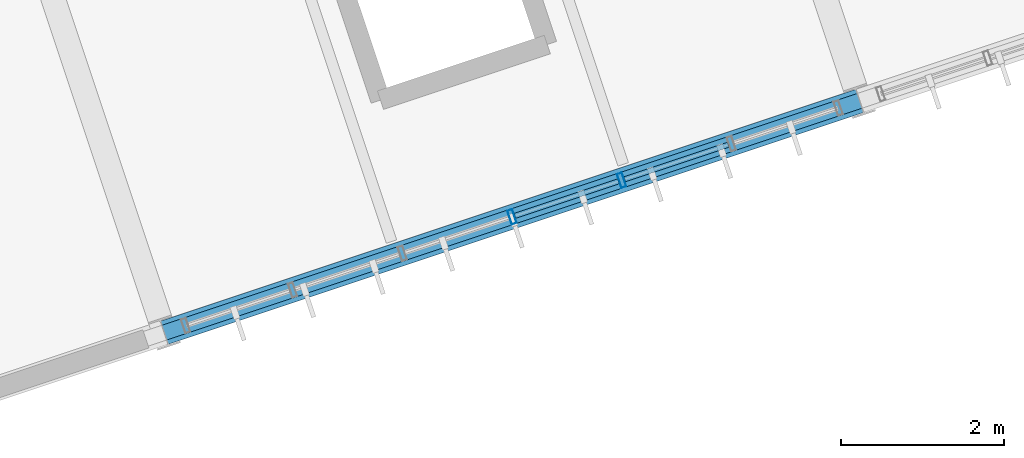
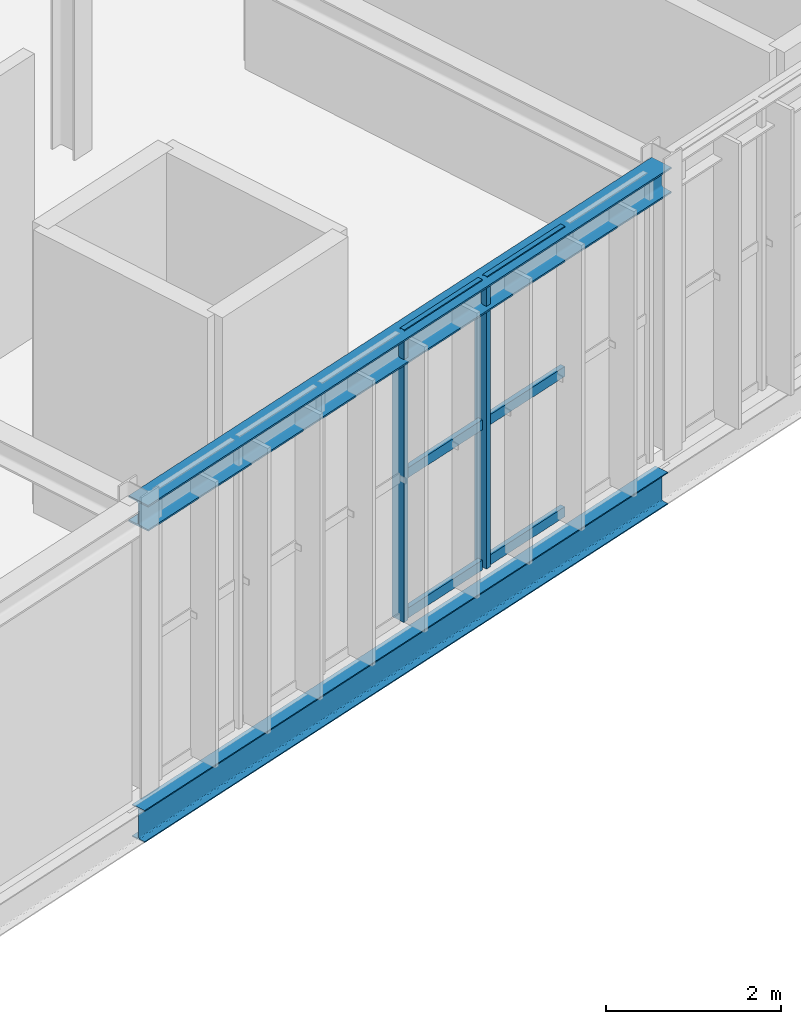
# One storey, part 10 of 61: 8 members, 2 beams, 1 element without a shape of its own.
"""IFC4 building model written with IfcOpenShell, lengths in metres."""

from ifc_helpers import new_model, si_unit, derived_unit, direction, frame, origin, origin_2d, place, context, subcontext, project, spatial, hollow_rectangle, i_section, extrude, material, material_profile, profile_set, type_object, element, aggregate, save


model = new_model("IFC4")

# Units and contexts
model_context = context("Model", 3, precision=1e-05, world=origin(), true_north=direction((0.0, 1.0)))
body_context = subcontext(model_context, "Body", "Model", "MODEL_VIEW")
ifc_project = project(units=[si_unit("LENGTHUNIT", "METRE"), si_unit("AREAUNIT", "SQUARE_METRE"), si_unit("VOLUMEUNIT", "CUBIC_METRE"), si_unit("PLANEANGLEUNIT", "RADIAN"), si_unit("MASSUNIT", "GRAM", prefix="KILO"), si_unit("THERMODYNAMICTEMPERATUREUNIT", "KELVIN"), si_unit("TIMEUNIT", "SECOND"), derived_unit("THERMALTRANSMITTANCEUNIT", [(si_unit("MASSUNIT", "GRAM", prefix="KILO"), 1), (si_unit("THERMODYNAMICTEMPERATUREUNIT", "KELVIN"), -1), (si_unit("TIMEUNIT", "SECOND"), -3)])], contexts=[model_context])

# Site, building, storey
site_placement = place(None, origin())
site = spatial("IfcSite", under=ifc_project, at=site_placement, CompositionType="ELEMENT")
building_placement = place(site_placement, origin())
building = spatial("IfcBuilding", under=site, at=building_placement, Name="Cambertide Market Hall", CompositionType="ELEMENT")
storey_placement = place(building_placement, frame((0.0, 0.0, 9.89990234375)))
storey = spatial("IfcBuildingStorey", under=building, at=storey_placement, Name="L03", CompositionType="ELEMENT", Elevation=9.89990234375)

# Curtain wall, members
ifc_material_1 = material(Name="Marine Anodized Aluminium 6063-T6 AA25", Category="aluminium")
curtain_wall_type = type_object("IfcCurtainWallType", Name="Tasting Hall Panorama Curtain Wall", PredefinedType="USERDEFINED", material=ifc_material_1)
curtain_wall_placement = place(storey_placement, origin())
curtain_wall = element("IfcCurtainWall", 1, at=curtain_wall_placement, inside=storey, type_object=curtain_wall_type, Name="Level 3 Curtain Wall CW-V3S-L03-3", ObjectType="UNITIZED CURTAIN WALL", PredefinedType="USERDEFINED")
ifc_material_2 = material(Name="Champagne Marine Anodized Aluminium 6063-T6 AA25", Category="aluminium")
ifc_material_profile_1 = material_profile(ifc_material_2, hollow_rectangle(XDim=0.06494140625, YDim=0.179931640625, WallThickness=0.00390625, at=origin_2d()), Name="ALU MULLION 65x180")
ifc_profile_set_1 = profile_set([ifc_material_profile_1], Name="Champagne Marine Anodized Aluminium 6063-T6 AA25")
member_type_1 = type_object("IfcMemberType", Name="Curtain Wall Mullion ALU MULLION 65x180", PredefinedType="MULLION", material=ifc_profile_set_1)
member_1_placement = place(storey_placement, frame((128.6923828125, 19.564208984375, 0.0), z_axis=(0.0, 0.0, 1.0), x_axis=(-0.948683286311, -0.316227801236, 0.0)))
member_1 = element("IfcMember", 2, at=member_1_placement, type_object=member_type_1, Name="CW-V3S-L03-3 Mullion 3", PredefinedType="MULLION", context=body_context, shape_type="SweptSolid", body=[
    extrude(hollow_rectangle(XDim=0.06494140625, YDim=0.179931640625, WallThickness=0.00390625, at=origin_2d()), origin(), (0.0, 0.0, 1.0), 3.97998046875),
])
member_2_placement = place(storey_placement, frame((127.345458984375, 19.115234375, 0.0), z_axis=(0.0, 0.0, 1.0), x_axis=(-0.948683286311, -0.316227801236, 0.0)))
member_2 = element("IfcMember", 3, at=member_2_placement, type_object=member_type_1, Name="CW-V3S-L03-3 Mullion 4", PredefinedType="MULLION", context=body_context, shape_type="SweptSolid", body=[
    extrude(hollow_rectangle(XDim=0.06494140625, YDim=0.179931640625, WallThickness=0.00390625, at=origin_2d()), origin(), (0.0, 0.0, 1.0), 3.97998046875),
])
ifc_material_3 = material(Name="Champagne Marine Anodized Aluminium 6063-T6 AA25", Category="aluminium")
ifc_material_profile_2 = material_profile(ifc_material_3, hollow_rectangle(XDim=0.06494140625, YDim=0.139892578125, WallThickness=0.00341796875, at=origin_2d()), Name="ALU TRANSOM 65x140")
ifc_profile_set_2 = profile_set([ifc_material_profile_2], Name="Champagne Marine Anodized Aluminium 6063-T6 AA25")
member_type_2 = type_object("IfcMemberType", Name="Curtain Wall Transom ALU TRANSOM 65x140", PredefinedType="USERDEFINED", material=ifc_profile_set_2)
member_3_placement = place(storey_placement, frame((130.001708984375, 20.00048828125, 0.03515625), z_axis=(-0.948719731918, -0.316118443418, 0.0), x_axis=(0.316118443418, -0.948719731918, 0.0)))
member_3 = element("IfcMember", 4, at=member_3_placement, type_object=member_type_2, Name="CW-V3S-L03-3 Transom 1-2", ObjectType="TRANSOM", PredefinedType="USERDEFINED", context=body_context, shape_type="SweptSolid", body=[
    extrude(hollow_rectangle(XDim=0.06494140625, YDim=0.139892578125, WallThickness=0.00341796875, at=origin_2d()), origin(), (0.0, 0.0, 1.0), 1.33984375),
])
member_4_placement = place(storey_placement, frame((128.654541015625, 19.551513671875, 0.03515625), z_axis=(-0.948665077442, -0.316282422593, 0.0), x_axis=(0.316282422593, -0.948665077442, 0.0)))
member_4 = element("IfcMember", 5, at=member_4_placement, type_object=member_type_2, Name="CW-V3S-L03-3 Transom 1-3", ObjectType="TRANSOM", PredefinedType="USERDEFINED", context=body_context, shape_type="SweptSolid", body=[
    extrude(hollow_rectangle(XDim=0.06494140625, YDim=0.139892578125, WallThickness=0.00341796875, at=origin_2d()), origin(), (0.0, 0.0, 1.0), 1.340087890625),
])
member_5_placement = place(storey_placement, frame((130.001708984375, 20.00048828125, 1.989990234375), z_axis=(-0.948719731918, -0.316118443418, 0.0), x_axis=(0.316118443418, -0.948719731918, 0.0)))
member_5 = element("IfcMember", 6, at=member_5_placement, type_object=member_type_2, Name="CW-V3S-L03-3 Transom 2-2", ObjectType="TRANSOM", PredefinedType="USERDEFINED", context=body_context, shape_type="SweptSolid", body=[
    extrude(hollow_rectangle(XDim=0.06494140625, YDim=0.139892578125, WallThickness=0.00341796875, at=origin_2d()), origin(), (0.0, 0.0, 1.0), 1.33984375),
])
member_6_placement = place(storey_placement, frame((128.654541015625, 19.551513671875, 1.989990234375), z_axis=(-0.948665077442, -0.316282422593, 0.0), x_axis=(0.316282422593, -0.948665077442, 0.0)))
member_6 = element("IfcMember", 7, at=member_6_placement, type_object=member_type_2, Name="CW-V3S-L03-3 Transom 2-3", ObjectType="TRANSOM", PredefinedType="USERDEFINED", context=body_context, shape_type="SweptSolid", body=[
    extrude(hollow_rectangle(XDim=0.06494140625, YDim=0.139892578125, WallThickness=0.00341796875, at=origin_2d()), origin(), (0.0, 0.0, 1.0), 1.340087890625),
])
member_7_placement = place(storey_placement, frame((130.001708984375, 20.00048828125, 3.945068359375), z_axis=(-0.948719731918, -0.316118443418, 0.0), x_axis=(0.316118443418, -0.948719731918, 0.0)))
member_7 = element("IfcMember", 8, at=member_7_placement, type_object=member_type_2, Name="CW-V3S-L03-3 Transom 3-2", ObjectType="TRANSOM", PredefinedType="USERDEFINED", context=body_context, shape_type="SweptSolid", body=[
    extrude(hollow_rectangle(XDim=0.06494140625, YDim=0.139892578125, WallThickness=0.00341796875, at=origin_2d()), origin(), (0.0, 0.0, 1.0), 1.33984375),
])
member_8_placement = place(storey_placement, frame((128.654541015625, 19.551513671875, 3.945068359375), z_axis=(-0.948665077442, -0.316282422593, 0.0), x_axis=(0.316282422593, -0.948665077442, 0.0)))
member_8 = element("IfcMember", 9, at=member_8_placement, type_object=member_type_2, Name="CW-V3S-L03-3 Transom 3-3", ObjectType="TRANSOM", PredefinedType="USERDEFINED", context=body_context, shape_type="SweptSolid", body=[
    extrude(hollow_rectangle(XDim=0.06494140625, YDim=0.139892578125, WallThickness=0.00341796875, at=origin_2d()), origin(), (0.0, 0.0, 1.0), 1.340087890625),
])
aggregate(curtain_wall, [member_1, member_2, member_3, member_4, member_5, member_6, member_7, member_8])

# Beams
ifc_material_4 = material(Name="Steel S355", Category="steel")
ifc_material_profile_3 = material_profile(ifc_material_4, i_section(OverallWidth=0.300048828125, OverallDepth=0.360107421875, WebThickness=0.012451171875, FlangeThickness=0.0224609375, FilletRadius=0.027099609375, at=origin_2d()), Name="HEB 360")
ifc_profile_set_3 = profile_set([ifc_material_profile_3], Name="Steel S355")
beam_type_1 = type_object("IfcBeamType", Name="Exterior Steel Girder HEB 360", PredefinedType="BEAM", material=ifc_profile_set_3)
beam_1_placement = place(storey_placement, frame((123.076416015625, 17.692138671875, 3.820068359375), z_axis=(0.948686010717, 0.3162196279, 0.0), x_axis=(-0.3162196279, 0.948686010717, 0.0)))
element("IfcBeam", 10, at=beam_1_placement, inside=storey, type_object=beam_type_1, Name="Level 3 Beam BM-V3U-RF-3-1", PredefinedType="BEAM", context=body_context, shape_type="SweptSolid", body=[
    extrude(i_section(OverallWidth=0.300048828125, OverallDepth=0.360107421875, WebThickness=0.012451171875, FlangeThickness=0.0224609375, FilletRadius=0.027099609375, at=origin_2d()), origin(), (0.0, 0.0, 1.0), 9.0),
])
ifc_material_5 = material(Name="Steel S355", Category="steel")
ifc_material_profile_4 = material_profile(ifc_material_5, i_section(OverallWidth=0.18994140625, OverallDepth=0.449951171875, WebThickness=0.009521484375, FlangeThickness=0.0146484375, FilletRadius=0.02099609375, at=origin_2d()), Name="IPE 450")
ifc_profile_set_4 = profile_set([ifc_material_profile_4], Name="Steel S355")
beam_type_2 = type_object("IfcBeamType", Name="Perimeter Spandrel Beam IPE 450", PredefinedType="SPANDREL", material=ifc_profile_set_4)
beam_2_placement = place(storey_placement, frame((123.076416015625, 17.692138671875, -0.5), z_axis=(0.948686010717, 0.3162196279, 0.0), x_axis=(-0.3162196279, 0.948686010717, 0.0)))
element("IfcBeam", 11, at=beam_2_placement, inside=storey, type_object=beam_type_2, Name="Level 3 Spandrel BM-V3U-L03-3-1", PredefinedType="SPANDREL", context=body_context, shape_type="SweptSolid", body=[
    extrude(i_section(OverallWidth=0.18994140625, OverallDepth=0.449951171875, WebThickness=0.009521484375, FlangeThickness=0.0146484375, FilletRadius=0.02099609375, at=origin_2d()), origin(), (0.0, 0.0, 1.0), 9.0),
])

save(model, "model.ifc")
